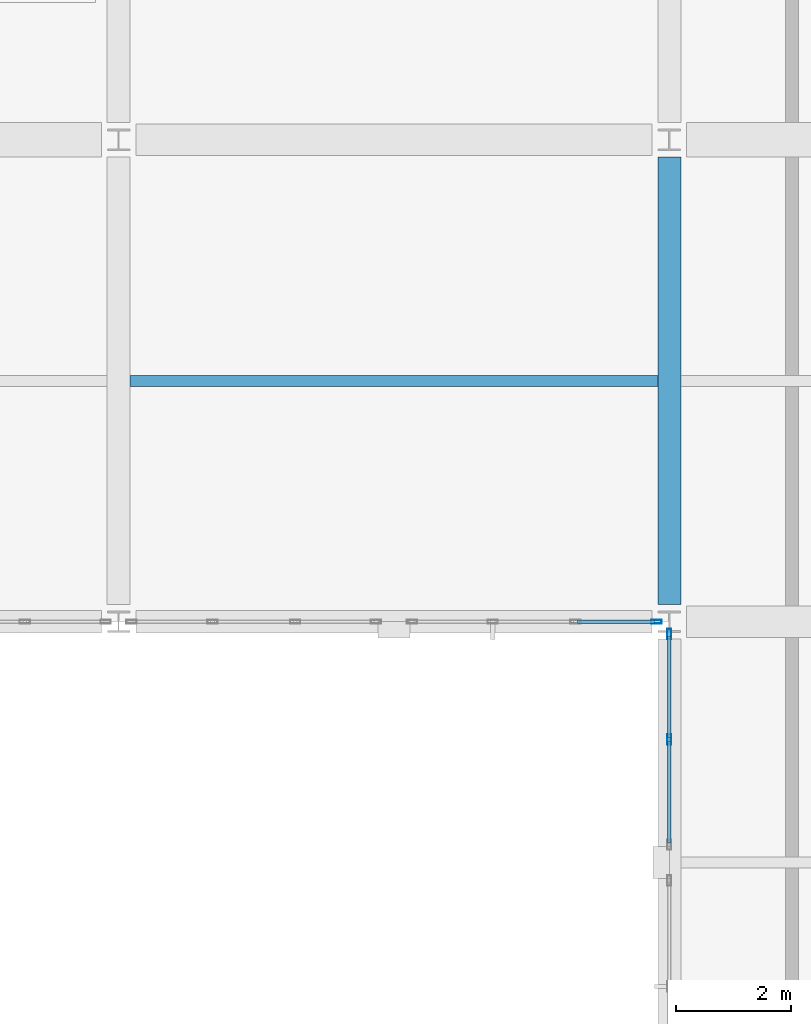
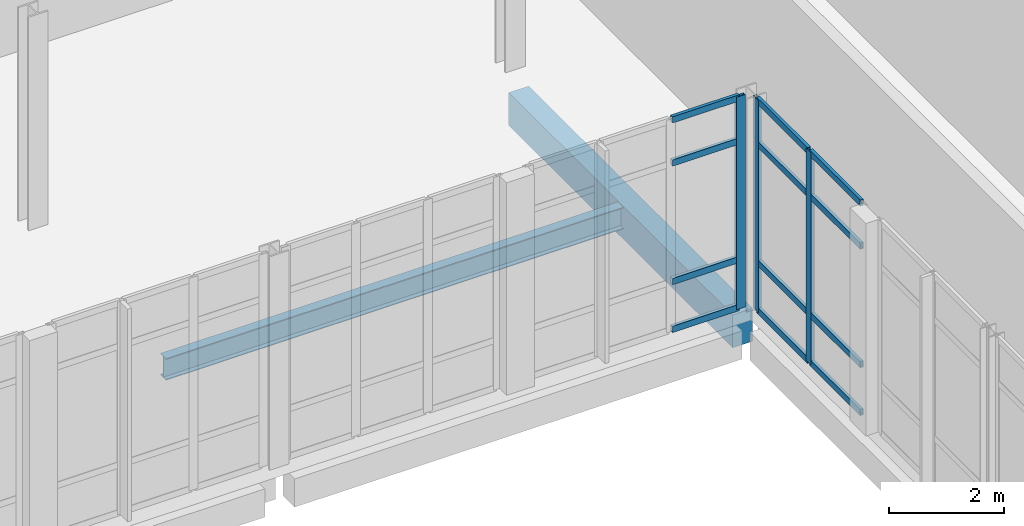
# One storey, part 54 of 102: 15 members, 2 beams, 2 elements without a shape of their own.
"""IFC4 building model written with IfcOpenShell, lengths in metres."""

import ifcopenshell
import ifcopenshell.guid

model = None  # the IFC model being written
_history = None  # IfcOwnerHistory: only IFC2X3 demands one
_inside = {}  # id of a spatial element -> (the spatial element, [elements in it])
_under = {}  # id of a project, library or spatial element -> (it, [spatial elements below it])
_declared = {}  # id of a project -> (the project, [libraries it declares])
_typed = {}  # id of a type object -> (the type object, [elements of that type])
_made_of = {}  # id of a material, layer set ... -> (it, [elements and type objects made of it])


def new_model(schema):
    """Start an empty IFC model of exactly this schema.

    Asked for "IFC4X3", IfcOpenShell would pick the latest addendum, in which some entities
    have other attributes; the version numbers below select the first issue.
    IFC2X3 requires an IfcOwnerHistory on every rooted entity: one is made here for all.
    """
    global model, _history
    if schema == "IFC4X3":
        model = ifcopenshell.file(schema_version=(4, 3, 0, 0))
    else:
        model = ifcopenshell.file(schema=schema)
    _inside.clear()
    _under.clear()
    _declared.clear()
    _typed.clear()
    _made_of.clear()
    _history = None
    if model.schema == "IFC2X3":
        org = make("IfcOrganization", Name="unknown")
        user = make(
            "IfcPersonAndOrganization",
            ThePerson=make("IfcPerson", FamilyName="unknown"),
            TheOrganization=org,
        )
        app = make(
            "IfcApplication",
            ApplicationDeveloper=org,
            Version="unknown",
            ApplicationFullName="unknown",
            ApplicationIdentifier="unknown",
        )
        _history = make(
            "IfcOwnerHistory",
            OwningUser=user,
            OwningApplication=app,
            ChangeAction="ADDED",
            CreationDate=0,
        )
    return model


def make(cls, **values):
    """One entity of the class cls with the attributes given. An attribute that is None is left unset."""
    return model.create_entity(
        cls, **{name: value for name, value in values.items() if value is not None}
    )


def rooted(cls, **values):
    """An entity with a GlobalId (a new one), such as an element, a storey or a relation."""
    return make(cls, GlobalId=ifcopenshell.guid.new(), OwnerHistory=_history, **values)


def si_unit(unit_type, name, prefix=None):
    """IfcSIUnit, for example si_unit("LENGTHUNIT", "METRE", prefix="MILLI")."""
    return make("IfcSIUnit", UnitType=unit_type, Prefix=prefix, Name=name)


def assignment(units):
    """IfcUnitAssignment: the units of a project."""
    return None if units is None else make("IfcUnitAssignment", Units=units)


def point(xyz):
    """IfcCartesianPoint."""
    return None if xyz is None else make("IfcCartesianPoint", Coordinates=xyz)


def direction(xyz):
    """IfcDirection."""
    return None if xyz is None else make("IfcDirection", DirectionRatios=xyz)


def frame(location, z_axis=None, x_axis=None):
    """IfcAxis2Placement3D, a coordinate frame: its origin and axes. An axis left out is left unset."""
    return make(
        "IfcAxis2Placement3D",
        Location=point(location),
        Axis=direction(z_axis),
        RefDirection=direction(x_axis),
    )


def frame_2d(location, x_axis=None):
    """IfcAxis2Placement2D, a coordinate frame in the plane: its origin and x axis."""
    return make(
        "IfcAxis2Placement2D", Location=point(location), RefDirection=direction(x_axis)
    )


def origin():
    """The frame at (0, 0, 0) with its axes left unset."""
    return frame((0.0, 0.0, 0.0))


def origin_2d():
    """The frame at (0, 0) in the plane with its x axis left unset."""
    return frame_2d((0.0, 0.0))


def place(relative_to, where):
    """IfcLocalPlacement: puts the frame where relative to a parent placement (None: the world)."""
    return make(
        "IfcLocalPlacement", PlacementRelTo=relative_to, RelativePlacement=where
    )


def context(
    kind, dimensions, precision=None, world=None, true_north=None, identifier=None
):
    """IfcGeometricRepresentationContext, for example the 3D "Model" context."""
    return make(
        "IfcGeometricRepresentationContext",
        ContextIdentifier=identifier,
        ContextType=kind,
        CoordinateSpaceDimension=dimensions,
        Precision=precision,
        WorldCoordinateSystem=world,
        TrueNorth=true_north,
    )


def subcontext(parent, identifier, kind, view, scale=None):
    """IfcGeometricRepresentationSubContext, for example "Body" below "Model"."""
    return make(
        "IfcGeometricRepresentationSubContext",
        ContextIdentifier=identifier,
        ContextType=kind,
        ParentContext=parent,
        TargetScale=scale,
        TargetView=view,
    )


def project(units=None, contexts=None):
    """IfcProject with its units and contexts."""
    return rooted(
        "IfcProject",
        Name="project",
        RepresentationContexts=contexts,
        UnitsInContext=assignment(units),
    )


def spatial(cls, under=None, at=None, **own):
    """A site, building, storey or space (cls), placed at a placement, below another one or the project."""
    s = rooted(cls, ObjectPlacement=at, **own)
    if under is not None:
        _under.setdefault(under.id(), (under, []))[1].append(s)
    return s


def profile(cls, at=None, kind="AREA", **sizes):
    """A parametric profile (cls). Its sizes go by their IFC names, for example OverallWidth=200.0."""
    return make(cls, ProfileType=kind, Position=at, **sizes)


def rectangle(**sizes):
    """IfcRectangleProfileDef."""
    return profile("IfcRectangleProfileDef", **sizes)


def hollow_rectangle(**sizes):
    """IfcRectangleHollowProfileDef."""
    return profile("IfcRectangleHollowProfileDef", **sizes)


def i_section(**sizes):
    """IfcIShapeProfileDef."""
    return profile("IfcIShapeProfileDef", **sizes)


def extrude(swept, where, along, depth):
    """IfcExtrudedAreaSolid: the profile swept, set in the frame where, extruded along a direction by depth."""
    return make(
        "IfcExtrudedAreaSolid",
        SweptArea=swept,
        Position=where,
        ExtrudedDirection=direction(along),
        Depth=depth,
    )


def shape(context_of_items, identifier, shape_type, items):
    """IfcShapeRepresentation: the items that make up one representation, for example the "Body"."""
    return make(
        "IfcShapeRepresentation",
        ContextOfItems=context_of_items,
        RepresentationIdentifier=identifier,
        RepresentationType=shape_type,
        Items=items,
    )


def material(Name=None, Category=None):
    """IfcMaterial."""
    return make("IfcMaterial", Name=Name, Category=Category)


def layer(
    of_material, thickness, ventilated=None, Name=None, Category=None, Priority=None
):
    """IfcMaterialLayer: one layer of a wall or slab, of a material (None: an air gap)."""
    return make(
        "IfcMaterialLayer",
        Material=of_material,
        LayerThickness=thickness,
        IsVentilated=ventilated,
        Name=Name,
        Category=Category,
        Priority=Priority,
    )


def layer_set(layers, Name=None):
    """IfcMaterialLayerSet."""
    return make("IfcMaterialLayerSet", MaterialLayers=layers, LayerSetName=Name)


def material_profile(
    of_material, cross_section, Name=None, Category=None, Priority=None
):
    """IfcMaterialProfile: a cross section and its material."""
    return make(
        "IfcMaterialProfile",
        Name=Name,
        Material=of_material,
        Profile=cross_section,
        Priority=Priority,
        Category=Category,
    )


def profile_set(profiles, Name=None, composite=None):
    """IfcMaterialProfileSet."""
    return make(
        "IfcMaterialProfileSet",
        Name=Name,
        MaterialProfiles=profiles,
        CompositeProfile=composite,
    )


def made_of(thing, what):
    """Note that an element or type object is made of a material, layer set ...; save() writes the relation."""
    if what is not None:
        _made_of.setdefault(what.id(), (what, []))[1].append(thing)
    return thing


def type_object(cls, material=None, **own):
    """A type object (cls), such as IfcWallType, which elements share."""
    return made_of(rooted(cls, **own), material)


def element(
    cls,
    number,
    at=None,
    inside=None,
    cuts=None,
    type_object=None,
    material=None,
    context=None,
    identifier="Body",
    shape_type=None,
    held_by="IfcProductDefinitionShape",
    body=None,
    shapes=None,
    **own,
):
    """One element of the class cls, such as IfcWall. Its Tag is "e" and its number.

    at: its placement. inside: the storey or other place that contains it. cuts: it is an
    opening in that element (IfcRelVoidsElement). A single representation is given by context,
    identifier, shape_type and body (its items); several are given by shapes. held_by: the class
    of the entity that holds the representations. save() writes the other relations.
    """
    e = rooted(cls, Tag="e%d" % number, ObjectPlacement=at, **own)
    if body is not None:
        shapes = [shape(context, identifier, shape_type, body)]
    if shapes is not None:
        e.Representation = make(held_by, Representations=shapes)
    if inside is not None:
        _inside.setdefault(inside.id(), (inside, []))[1].append(e)
    if cuts is not None:
        rooted(
            "IfcRelVoidsElement", RelatingBuildingElement=cuts, RelatedOpeningElement=e
        )
    if type_object is not None:
        _typed.setdefault(type_object.id(), (type_object, []))[1].append(e)
    return made_of(e, material)


def aggregate(whole, parts):
    """IfcRelAggregates: a whole, such as a stair, and the parts it consists of."""
    return rooted("IfcRelAggregates", RelatingObject=whole, RelatedObjects=parts)


def save(model, path):
    """Write the relations noted so far, then the file.

    IfcRelAggregates (storeys below a building ...), IfcRelContainedInSpatialStructure (elements
    in a storey), IfcRelDefinesByType, IfcRelAssociatesMaterial and IfcRelDeclares: one each for
    every whole, place, type object, material and project.
    """
    for whole, parts in _under.values():
        aggregate(whole, parts)
    for where, things in _inside.values():
        rooted(
            "IfcRelContainedInSpatialStructure",
            RelatedElements=things,
            RelatingStructure=where,
        )
    for kind, things in _typed.values():
        rooted("IfcRelDefinesByType", RelatedObjects=things, RelatingType=kind)
    for what, things in _made_of.values():
        rooted("IfcRelAssociatesMaterial", RelatedObjects=things, RelatingMaterial=what)
    for by, libraries in _declared.values():
        rooted("IfcRelDeclares", RelatingContext=by, RelatedDefinitions=libraries)
    model.write(path)


model = new_model("IFC4")

# Units and contexts
model_context = context("Model", 3, precision=1e-05, world=origin(), true_north=direction((0.0, 1.0)))
body_context = subcontext(model_context, "Body", "Model", "MODEL_VIEW")
ifc_project = project(units=[si_unit("LENGTHUNIT", "METRE"), si_unit("AREAUNIT", "SQUARE_METRE"), si_unit("VOLUMEUNIT", "CUBIC_METRE"), si_unit("PLANEANGLEUNIT", "RADIAN"), si_unit("MASSUNIT", "GRAM", prefix="KILO")], contexts=[model_context])

# Site, building, storey
site_placement = place(None, origin())
site = spatial("IfcSite", under=ifc_project, at=site_placement, CompositionType="ELEMENT")
building_placement = place(site_placement, origin())
building = spatial("IfcBuilding", under=site, at=building_placement, Name="Lornevale Opera House", CompositionType="ELEMENT")
storey_placement = place(building_placement, frame((0.0, 0.0, 5.39990234375)))
storey = spatial("IfcBuildingStorey", under=building, at=storey_placement, Name="L02", CompositionType="ELEMENT", Elevation=5.39990234375)

# Beam
ifc_material_1 = material(Name="Concrete 35 MPa (CSA A23.1 N)", Category="concrete")
ifc_material_profile_1 = material_profile(ifc_material_1, rectangle(XDim=0.39990234375, YDim=0.699951171875, at=origin_2d()), Name="RC400x700")
ifc_profile_set_1 = profile_set([ifc_material_profile_1], Name="Concrete 35 MPa (CSA A23.1 N)")
beam_type_1 = type_object("IfcBeamType", Name="Concrete Floor Beam 400x700", PredefinedType="USERDEFINED", material=ifc_profile_set_1)
beam_1_placement = place(storey_placement, frame((28.800048828125, 67.5, -0.699951171875), z_axis=(0.0, 1.0, 0.0), x_axis=(-1.0, 0.0, 0.0)))
element("IfcBeam", 1, at=beam_1_placement, inside=storey, type_object=beam_type_1, Name="Concrete Floor Beam 400x700 1853", ObjectType="GIRDER", PredefinedType="USERDEFINED", context=body_context, shape_type="SweptSolid", body=[
    extrude(rectangle(XDim=0.39990234375, YDim=0.699951171875, at=origin_2d()), origin(), (0.0, 0.0, 1.0), 7.800048828125),
])

# Curtain wall, member
ifc_material_2 = material(Name="Anodized Oxide-Green Aluminium Framing", Category="aluminium")
ifc_layer = layer(ifc_material_2, 0.175048828125)
ifc_layer_set = layer_set([ifc_layer], Name="Anodized Oxide-Green Aluminium Framing")
curtain_wall_type = type_object("IfcCurtainWallType", Name="Chamber Cloister Curtain Wall M1700", PredefinedType="NOTDEFINED", material=ifc_layer_set)
curtain_wall_1_placement = place(storey_placement, origin())
curtain_wall_1 = element("IfcCurtainWall", 2, at=curtain_wall_1_placement, inside=storey, type_object=curtain_wall_type, Name="Chamber Cloister Curtain Wall M1700 CW-041", PredefinedType="NOTDEFINED")
ifc_material_profile_2 = material_profile(ifc_material_2, hollow_rectangle(XDim=0.06494140625, YDim=0.179931640625, WallThickness=0.0048828125, at=origin_2d()), Name="ALU65x180x5")
ifc_profile_set_2 = profile_set([ifc_material_profile_2], Name="Anodized Oxide-Green Aluminium Framing")
member_type_1 = type_object("IfcMemberType", Name="Curtain Wall Mullion 65x180", PredefinedType="MULLION", material=ifc_profile_set_2)
member_1_placement = place(storey_placement, frame((28.574462890625, 67.199951171875, 0.0), z_axis=(0.0, 0.0, 1.0), x_axis=(0.0, -1.0, 0.0)))
member_1 = element("IfcMember", 3, at=member_1_placement, type_object=member_type_1, Name="Curtain Wall Mullion 65x180 CW0833", PredefinedType="MULLION", context=body_context, shape_type="SweptSolid", body=[
    extrude(hollow_rectangle(XDim=0.06494140625, YDim=0.179931640625, WallThickness=0.0048828125, at=origin_2d()), origin(), (0.0, 0.0, 1.0), 4.52001953125),
])

# Curtain wall, members
curtain_wall_2_placement = place(storey_placement, origin())
curtain_wall_2 = element("IfcCurtainWall", 4, at=curtain_wall_2_placement, inside=storey, type_object=curtain_wall_type, Name="Chamber Cloister Curtain Wall M1700 CW-060", PredefinedType="NOTDEFINED")
member_2_placement = place(storey_placement, frame((28.800048828125, 65.148193359375, 0.0), z_axis=(0.0, 0.0, 1.0), x_axis=(-1.0, 0.0, 0.0)))
member_2 = element("IfcMember", 5, at=member_2_placement, type_object=member_type_1, Name="Curtain Wall Mullion 65x180 CW1197", PredefinedType="MULLION", context=body_context, shape_type="SweptSolid", body=[
    extrude(hollow_rectangle(XDim=0.06494140625, YDim=0.179931640625, WallThickness=0.0048828125, at=origin_2d()), origin(), (0.0, 0.0, 1.0), 4.52001953125),
])
member_3_placement = place(storey_placement, frame((28.800048828125, 66.98388671875, 0.0), z_axis=(0.0, 0.0, 1.0), x_axis=(-1.0, 0.0, 0.0)))
member_3 = element("IfcMember", 6, at=member_3_placement, type_object=member_type_1, Name="Curtain Wall Mullion 65x180 CW1198", PredefinedType="MULLION", context=body_context, shape_type="SweptSolid", body=[
    extrude(hollow_rectangle(XDim=0.06494140625, YDim=0.179931640625, WallThickness=0.0048828125, at=origin_2d()), origin(), (0.0, 0.0, 1.0), 4.52001953125),
])

# Member
ifc_material_profile_3 = material_profile(ifc_material_2, hollow_rectangle(XDim=0.06494140625, YDim=0.135009765625, WallThickness=0.00390625, at=origin_2d()), Name="ALU65x135x4")
ifc_profile_set_3 = profile_set([ifc_material_profile_3], Name="Anodized Oxide-Green Aluminium Framing")
member_type_2 = type_object("IfcMemberType", Name="Curtain Wall Transom 65x135", PredefinedType="USERDEFINED", material=ifc_profile_set_3)
member_4_placement = place(storey_placement, frame((28.5419921875, 67.199951171875, 0.03271484375), z_axis=(-1.0, 0.0, 0.0), x_axis=(0.0, -1.0, 0.0)))
member_4 = element("IfcMember", 7, at=member_4_placement, type_object=member_type_2, Name="Curtain Wall Transom 65x135 CW0837", ObjectType="TRANSOM", PredefinedType="USERDEFINED", context=body_context, shape_type="SweptSolid", body=[
    extrude(hollow_rectangle(XDim=0.06494140625, YDim=0.135009765625, WallThickness=0.00390625, at=origin_2d()), origin(), (0.0, 0.0, 1.0), 1.3447265625),
])

member_5_placement = place(storey_placement, frame((28.5419921875, 67.199951171875, 1.050048828125), z_axis=(-1.0, 0.0, 0.0), x_axis=(0.0, -1.0, 0.0)))
member_5 = element("IfcMember", 8, at=member_5_placement, type_object=member_type_2, Name="Curtain Wall Transom 65x135 CW0838", ObjectType="TRANSOM", PredefinedType="USERDEFINED", context=body_context, shape_type="SweptSolid", body=[
    extrude(hollow_rectangle(XDim=0.06494140625, YDim=0.135009765625, WallThickness=0.00390625, at=origin_2d()), origin(), (0.0, 0.0, 1.0), 1.3447265625),
])

member_6_placement = place(storey_placement, frame((28.5419921875, 67.199951171875, 3.570068359375), z_axis=(-1.0, 0.0, 0.0), x_axis=(0.0, -1.0, 0.0)))
member_6 = element("IfcMember", 9, at=member_6_placement, type_object=member_type_2, Name="Curtain Wall Transom 65x135 CW0839", ObjectType="TRANSOM", PredefinedType="USERDEFINED", context=body_context, shape_type="SweptSolid", body=[
    extrude(hollow_rectangle(XDim=0.06494140625, YDim=0.135009765625, WallThickness=0.00390625, at=origin_2d()), origin(), (0.0, 0.0, 1.0), 1.3447265625),
])

member_7_placement = place(storey_placement, frame((28.5419921875, 67.199951171875, 4.487548828125), z_axis=(-1.0, 0.0, 0.0), x_axis=(0.0, -1.0, 0.0)))
member_7 = element("IfcMember", 10, at=member_7_placement, type_object=member_type_2, Name="Curtain Wall Transom 65x135 CW0840", ObjectType="TRANSOM", PredefinedType="USERDEFINED", context=body_context, shape_type="SweptSolid", body=[
    extrude(hollow_rectangle(XDim=0.06494140625, YDim=0.135009765625, WallThickness=0.00390625, at=origin_2d()), origin(), (0.0, 0.0, 1.0), 1.3447265625),
])

aggregate(curtain_wall_1, [member_1, member_4, member_5, member_6, member_7])

member_8_placement = place(storey_placement, frame((28.800048828125, 63.344970703125, 0.03271484375), z_axis=(0.0, 1.0, 0.0), x_axis=(-1.0, 0.0, 0.0)))
member_8 = element("IfcMember", 11, at=member_8_placement, type_object=member_type_2, Name="Curtain Wall Transom 65x135 CW1199", ObjectType="TRANSOM", PredefinedType="USERDEFINED", context=body_context, shape_type="SweptSolid", body=[
    extrude(hollow_rectangle(XDim=0.06494140625, YDim=0.135009765625, WallThickness=0.00390625, at=origin_2d()), origin(), (0.0, 0.0, 1.0), 1.770751953125),
])

member_9_placement = place(storey_placement, frame((28.800048828125, 63.344970703125, 1.050048828125), z_axis=(0.0, 1.0, 0.0), x_axis=(-1.0, 0.0, 0.0)))
member_9 = element("IfcMember", 12, at=member_9_placement, type_object=member_type_2, Name="Curtain Wall Transom 65x135 CW1200", ObjectType="TRANSOM", PredefinedType="USERDEFINED", context=body_context, shape_type="SweptSolid", body=[
    extrude(hollow_rectangle(XDim=0.06494140625, YDim=0.135009765625, WallThickness=0.00390625, at=origin_2d()), origin(), (0.0, 0.0, 1.0), 1.770751953125),
])

member_10_placement = place(storey_placement, frame((28.800048828125, 63.344970703125, 3.570068359375), z_axis=(0.0, 1.0, 0.0), x_axis=(-1.0, 0.0, 0.0)))
member_10 = element("IfcMember", 13, at=member_10_placement, type_object=member_type_2, Name="Curtain Wall Transom 65x135 CW1201", ObjectType="TRANSOM", PredefinedType="USERDEFINED", context=body_context, shape_type="SweptSolid", body=[
    extrude(hollow_rectangle(XDim=0.06494140625, YDim=0.135009765625, WallThickness=0.00390625, at=origin_2d()), origin(), (0.0, 0.0, 1.0), 1.770751953125),
])

member_11_placement = place(storey_placement, frame((28.800048828125, 63.344970703125, 4.487548828125), z_axis=(0.0, 1.0, 0.0), x_axis=(-1.0, 0.0, 0.0)))
member_11 = element("IfcMember", 14, at=member_11_placement, type_object=member_type_2, Name="Curtain Wall Transom 65x135 CW1202", ObjectType="TRANSOM", PredefinedType="USERDEFINED", context=body_context, shape_type="SweptSolid", body=[
    extrude(hollow_rectangle(XDim=0.06494140625, YDim=0.135009765625, WallThickness=0.00390625, at=origin_2d()), origin(), (0.0, 0.0, 1.0), 1.770751953125),
])

member_12_placement = place(storey_placement, frame((28.800048828125, 65.180908203125, 0.03271484375), z_axis=(0.0, 1.0, 0.0), x_axis=(-1.0, 0.0, 0.0)))
member_12 = element("IfcMember", 15, at=member_12_placement, type_object=member_type_2, Name="Curtain Wall Transom 65x135 CW1206", ObjectType="TRANSOM", PredefinedType="USERDEFINED", context=body_context, shape_type="SweptSolid", body=[
    extrude(hollow_rectangle(XDim=0.06494140625, YDim=0.135009765625, WallThickness=0.00390625, at=origin_2d()), origin(), (0.0, 0.0, 1.0), 1.7705078125),
])

member_13_placement = place(storey_placement, frame((28.800048828125, 65.180908203125, 1.050048828125), z_axis=(0.0, 1.0, 0.0), x_axis=(-1.0, 0.0, 0.0)))
member_13 = element("IfcMember", 16, at=member_13_placement, type_object=member_type_2, Name="Curtain Wall Transom 65x135 CW1207", ObjectType="TRANSOM", PredefinedType="USERDEFINED", context=body_context, shape_type="SweptSolid", body=[
    extrude(hollow_rectangle(XDim=0.06494140625, YDim=0.135009765625, WallThickness=0.00390625, at=origin_2d()), origin(), (0.0, 0.0, 1.0), 1.7705078125),
])

member_14_placement = place(storey_placement, frame((28.800048828125, 65.180908203125, 3.570068359375), z_axis=(0.0, 1.0, 0.0), x_axis=(-1.0, 0.0, 0.0)))
member_14 = element("IfcMember", 17, at=member_14_placement, type_object=member_type_2, Name="Curtain Wall Transom 65x135 CW1208", ObjectType="TRANSOM", PredefinedType="USERDEFINED", context=body_context, shape_type="SweptSolid", body=[
    extrude(hollow_rectangle(XDim=0.06494140625, YDim=0.135009765625, WallThickness=0.00390625, at=origin_2d()), origin(), (0.0, 0.0, 1.0), 1.7705078125),
])

member_15_placement = place(storey_placement, frame((28.800048828125, 65.180908203125, 4.487548828125), z_axis=(0.0, 1.0, 0.0), x_axis=(-1.0, 0.0, 0.0)))
member_15 = element("IfcMember", 18, at=member_15_placement, type_object=member_type_2, Name="Curtain Wall Transom 65x135 CW1209", ObjectType="TRANSOM", PredefinedType="USERDEFINED", context=body_context, shape_type="SweptSolid", body=[
    extrude(hollow_rectangle(XDim=0.06494140625, YDim=0.135009765625, WallThickness=0.00390625, at=origin_2d()), origin(), (0.0, 0.0, 1.0), 1.7705078125),
])

aggregate(curtain_wall_2, [member_2, member_3, member_8, member_9, member_10, member_11, member_12, member_13, member_14, member_15])

# Beam
ifc_material_3 = material(Name="Structural Steel CSA G40.21 Grade 350W (350 MPa)", Category="steel")
ifc_material_profile_4 = material_profile(ifc_material_3, i_section(OverallWidth=0.19189453125, OverallDepth=0.462890625, WebThickness=0.010498046875, FlangeThickness=0.017578125, at=origin_2d()), Name="W460x89")
ifc_profile_set_4 = profile_set([ifc_material_profile_4], Name="Structural Steel CSA G40.21 Grade 350W (350 MPa)")
beam_type_2 = type_object("IfcBeamType", Name="Steel Floor Joist W460x89", PredefinedType="JOIST", material=ifc_profile_set_4)
beam_2_placement = place(storey_placement, frame((19.39990234375, 71.39990234375, -0.596435546875), z_axis=(1.0, 0.0, 0.0), x_axis=(0.0, 1.0, 0.0)))
element("IfcBeam", 19, at=beam_2_placement, inside=storey, type_object=beam_type_2, Name="Steel Floor Joist W460x89 1987", PredefinedType="JOIST", context=body_context, shape_type="SweptSolid", body=[
    extrude(i_section(OverallWidth=0.19189453125, OverallDepth=0.462890625, WebThickness=0.010498046875, FlangeThickness=0.017578125, at=origin_2d()), origin(), (0.0, 0.0, 1.0), 9.2001953125),
])

save(model, "model.ifc")
